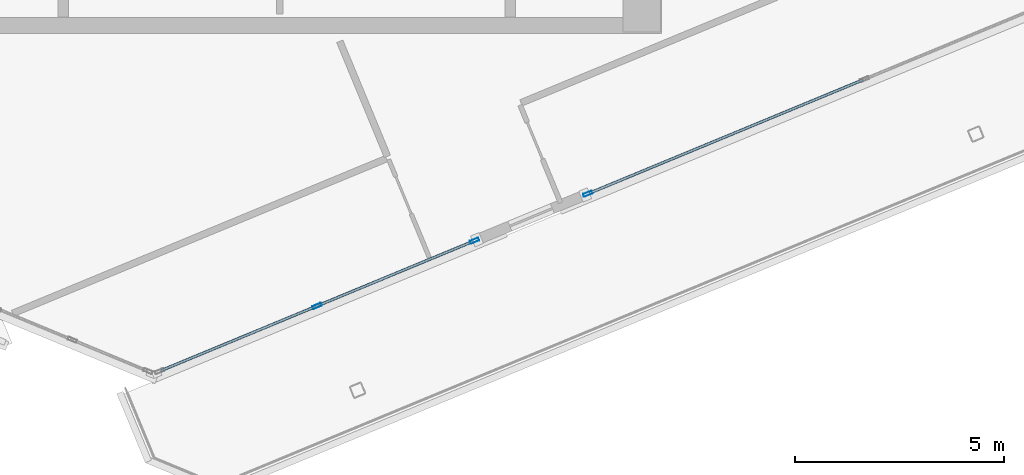
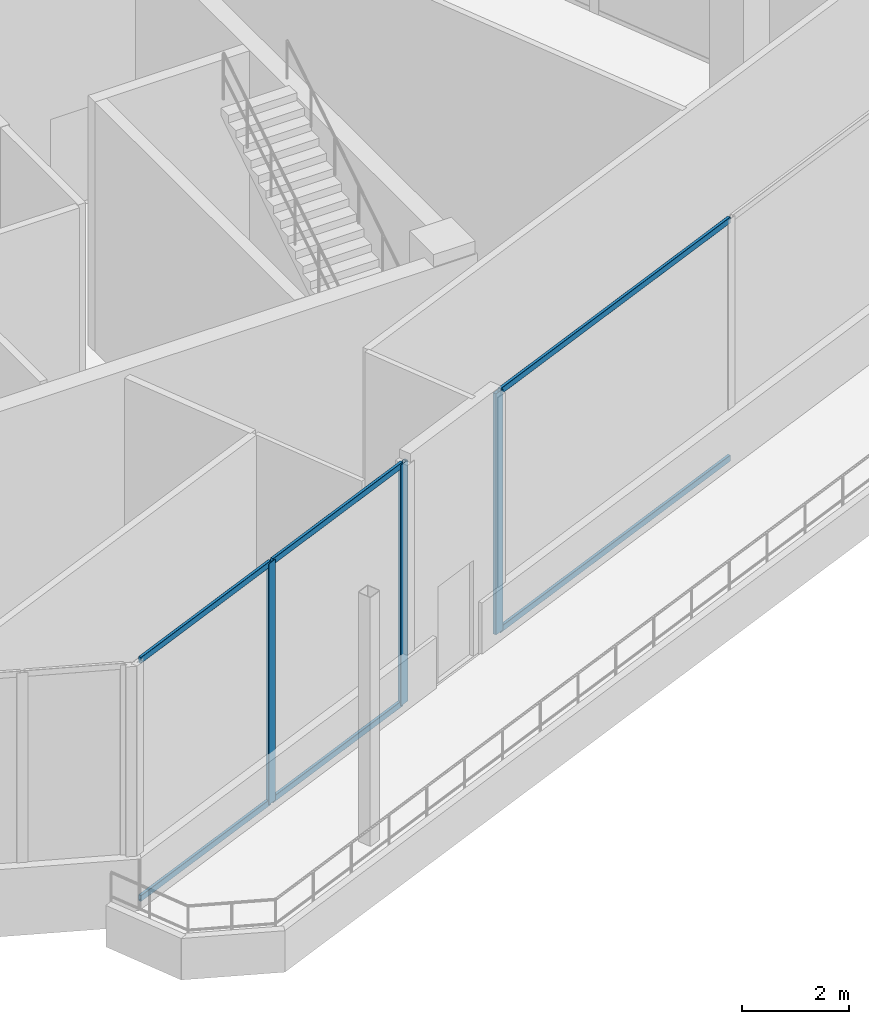
# One storey, part 4 of 16: 9 members, 2 elements without a shape of their own.
"""IFC4 building model written with IfcOpenShell, lengths in metres."""

from ifc_helpers import new_model, si_unit, direction, frame, origin, origin_2d, place, context, subcontext, project, spatial, hollow_rectangle, extrude, source, transform, mapped, material, material_profile, profile_set, type_object, element, aggregate, save


model = new_model("IFC4")

# Units and contexts
model_context = context("Model", 3, precision=1e-05, world=origin(), true_north=direction((0.0, 1.0)))
body_context = subcontext(model_context, "Body", "Model", "MODEL_VIEW")
ifc_project = project(units=[si_unit("LENGTHUNIT", "METRE"), si_unit("AREAUNIT", "SQUARE_METRE"), si_unit("VOLUMEUNIT", "CUBIC_METRE"), si_unit("PLANEANGLEUNIT", "RADIAN"), si_unit("MASSUNIT", "GRAM", prefix="KILO")], contexts=[model_context])

# Site, building, storey
site_placement = place(None, origin())
site = spatial("IfcSite", under=ifc_project, at=site_placement, CompositionType="ELEMENT")
building_placement = place(site_placement, origin())
building = spatial("IfcBuilding", under=site, at=building_placement, Name="Torre Montelarca", CompositionType="ELEMENT")
storey_placement = place(building_placement, frame((0.0, 0.0, 360.0)))
storey = spatial("IfcBuildingStorey", under=building, at=storey_placement, Name="L81", CompositionType="ELEMENT", Elevation=360.0)

# Curtain wall, members
ifc_material_1 = material(Name="Insulated low-E laminated glass", Category="glass")
curtain_wall_type = type_object("IfcCurtainWallType", Name="CW-SYS-Z4", PredefinedType="USERDEFINED", material=ifc_material_1)
curtain_wall_1_placement = place(storey_placement, origin())
curtain_wall_1 = element("IfcCurtainWall", 1, at=curtain_wall_1_placement, inside=storey, type_object=curtain_wall_type, Name="L81 Curtain Wall Run CW-T3-L81-E06-B1", ObjectType="UNITISED GLAZING", PredefinedType="USERDEFINED")
ifc_material_2 = material(Name="Anodised aluminium AA 6063-T6", Category="aluminium")
ifc_material_profile_1 = material_profile(ifc_material_2, hollow_rectangle(XDim=0.074951171875, YDim=0.219970703125, WallThickness=0.0048828125, InnerFilletRadius=0.0048828125, OuterFilletRadius=0.010009765625, at=origin_2d()), Name="ALU75X220X5", Category="aluminium")
ifc_profile_set_1 = profile_set([ifc_material_profile_1], Name="Anodised aluminium AA 6063-T6")
member_type_1 = type_object("IfcMemberType", Name="CWM-ALU220", PredefinedType="MULLION", material=ifc_profile_set_1)
shared_shape_1 = source(origin(), body_context, "Body", "SweptSolid", [
    extrude(hollow_rectangle(XDim=0.074951171875, YDim=0.219970703125, WallThickness=0.0048828125, InnerFilletRadius=0.0048828125, OuterFilletRadius=0.010009765625, at=origin_2d()), origin(), (0.0, 0.0, 1.0), 5.52001953125),
])
member_1_placement = place(storey_placement, frame((18.68994140625, 17.554931640625, 0.0), z_axis=(0.0, 0.0, 1.0), x_axis=(-0.382676988458, 0.923882201639, 0.0)))
member_1 = element("IfcMember", 2, at=member_1_placement, type_object=member_type_1, Name="CW mullion 2", PredefinedType="MULLION", context=body_context, shape_type="MappedRepresentation", body=[
    mapped(shared_shape_1, transform((0.0, 0.0, 0.0), scale=1.0)),
])
member_2_placement = place(storey_placement, frame((22.452392578125, 19.113525390625, 0.0), z_axis=(0.0, 0.0, 1.0), x_axis=(-0.382676988458, 0.923882201639, 0.0)))
member_2 = element("IfcMember", 3, at=member_2_placement, type_object=member_type_1, Name="CW mullion 3", PredefinedType="MULLION", context=body_context, shape_type="MappedRepresentation", body=[
    mapped(shared_shape_1, transform((0.0, 0.0, 0.0), scale=1.0)),
])

# Curtain wall, member
curtain_wall_2_placement = place(storey_placement, origin())
curtain_wall_2 = element("IfcCurtainWall", 4, at=curtain_wall_2_placement, inside=storey, type_object=curtain_wall_type, Name="L81 Curtain Wall Run CW-T3-L81-E06-B2", ObjectType="UNITISED GLAZING", PredefinedType="USERDEFINED")
member_3_placement = place(storey_placement, frame((25.1640625, 20.236572265625, 0.0), z_axis=(0.0, 0.0, 1.0), x_axis=(-0.382686939251, 0.923878079904, 0.0)))
member_3 = element("IfcMember", 5, at=member_3_placement, type_object=member_type_1, Name="CW mullion 1", PredefinedType="MULLION", context=body_context, shape_type="MappedRepresentation", body=[
    mapped(shared_shape_1, transform((0.0, 0.0, 0.0), scale=1.0)),
])

# Member
ifc_material_profile_2 = material_profile(ifc_material_2, hollow_rectangle(XDim=0.06494140625, YDim=0.139892578125, WallThickness=0.00390625, InnerFilletRadius=0.00390625, OuterFilletRadius=0.008056640625, at=origin_2d()), Name="ALU65X140X4", Category="aluminium")
ifc_profile_set_2 = profile_set([ifc_material_profile_2], Name="Anodised aluminium AA 6063-T6")
member_type_2 = type_object("IfcMemberType", Name="CWT-ALU140", PredefinedType="USERDEFINED", material=ifc_profile_set_2)
shared_shape_2 = source(origin(), body_context, "Body", "SweptSolid", [
    extrude(hollow_rectangle(XDim=0.06494140625, YDim=0.139892578125, WallThickness=0.00390625, InnerFilletRadius=0.00390625, OuterFilletRadius=0.008056640625, at=origin_2d()), origin(), (0.0, 0.0, 1.0), 3.99755859375),
])
member_4_placement = place(storey_placement, frame((14.9619140625, 16.010986328125, 0.032470703125), z_axis=(0.923884342503, 0.382671819812, 0.0), x_axis=(-0.382671819812, 0.923884342503, 0.0)))
member_4 = element("IfcMember", 6, at=member_4_placement, type_object=member_type_2, Name="CW transom 1.1", ObjectType="TRANSOM", PredefinedType="USERDEFINED", context=body_context, shape_type="MappedRepresentation", body=[
    mapped(shared_shape_2, transform((0.0, 0.0, 0.0), scale=1.0)),
])

member_5_placement = place(storey_placement, frame((14.9619140625, 16.010986328125, 5.487548828125), z_axis=(0.923884342503, 0.382671819812, 0.0), x_axis=(-0.382671819812, 0.923884342503, 0.0)))
member_5 = element("IfcMember", 7, at=member_5_placement, type_object=member_type_2, Name="CW transom 1.2", ObjectType="TRANSOM", PredefinedType="USERDEFINED", context=body_context, shape_type="MappedRepresentation", body=[
    mapped(shared_shape_2, transform((0.0, 0.0, 0.0), scale=1.0)),
])

shared_shape_3 = source(origin(), body_context, "Body", "SweptSolid", [
    extrude(hollow_rectangle(XDim=0.06494140625, YDim=0.139892578125, WallThickness=0.00390625, InnerFilletRadius=0.00390625, OuterFilletRadius=0.008056640625, at=origin_2d()), origin(), (0.0, 0.0, 1.0), 3.997314453125),
])
member_6_placement = place(storey_placement, frame((18.724609375, 17.5693359375, 0.032470703125), z_axis=(0.923875398626, 0.382693412295, 0.0), x_axis=(-0.382693412295, 0.923875398626, 0.0)))
member_6 = element("IfcMember", 8, at=member_6_placement, type_object=member_type_2, Name="CW transom 2.1", ObjectType="TRANSOM", PredefinedType="USERDEFINED", context=body_context, shape_type="MappedRepresentation", body=[
    mapped(shared_shape_3, transform((0.0, 0.0, 0.0), scale=1.0)),
])

member_7_placement = place(storey_placement, frame((18.724609375, 17.5693359375, 5.487548828125), z_axis=(0.923875398626, 0.382693412295, 0.0), x_axis=(-0.382693412295, 0.923875398626, 0.0)))
member_7 = element("IfcMember", 9, at=member_7_placement, type_object=member_type_2, Name="CW transom 2.2", ObjectType="TRANSOM", PredefinedType="USERDEFINED", context=body_context, shape_type="MappedRepresentation", body=[
    mapped(shared_shape_3, transform((0.0, 0.0, 0.0), scale=1.0)),
])

aggregate(curtain_wall_1, [member_1, member_2, member_4, member_5, member_6, member_7])

shared_shape_4 = source(origin(), body_context, "Body", "SweptSolid", [
    extrude(hollow_rectangle(XDim=0.06494140625, YDim=0.139892578125, WallThickness=0.00390625, InnerFilletRadius=0.00390625, OuterFilletRadius=0.008056640625, at=origin_2d()), origin(), (0.0, 0.0, 1.0), 7.081787109375),
])
member_8_placement = place(storey_placement, frame((25.198486328125, 20.2509765625, 0.032470703125), z_axis=(0.923885739545, 0.382668446918, 0.0), x_axis=(-0.382668446918, 0.923885739545, 0.0)))
member_8 = element("IfcMember", 10, at=member_8_placement, type_object=member_type_2, Name="CW transom 1.1", ObjectType="TRANSOM", PredefinedType="USERDEFINED", context=body_context, shape_type="MappedRepresentation", body=[
    mapped(shared_shape_4, transform((0.0, 0.0, 0.0), scale=1.0)),
])

member_9_placement = place(storey_placement, frame((25.198486328125, 20.2509765625, 5.487548828125), z_axis=(0.923885739545, 0.382668446918, 0.0), x_axis=(-0.382668446918, 0.923885739545, 0.0)))
member_9 = element("IfcMember", 11, at=member_9_placement, type_object=member_type_2, Name="CW transom 1.2", ObjectType="TRANSOM", PredefinedType="USERDEFINED", context=body_context, shape_type="MappedRepresentation", body=[
    mapped(shared_shape_4, transform((0.0, 0.0, 0.0), scale=1.0)),
])

aggregate(curtain_wall_2, [member_3, member_8, member_9])

save(model, "model.ifc")
